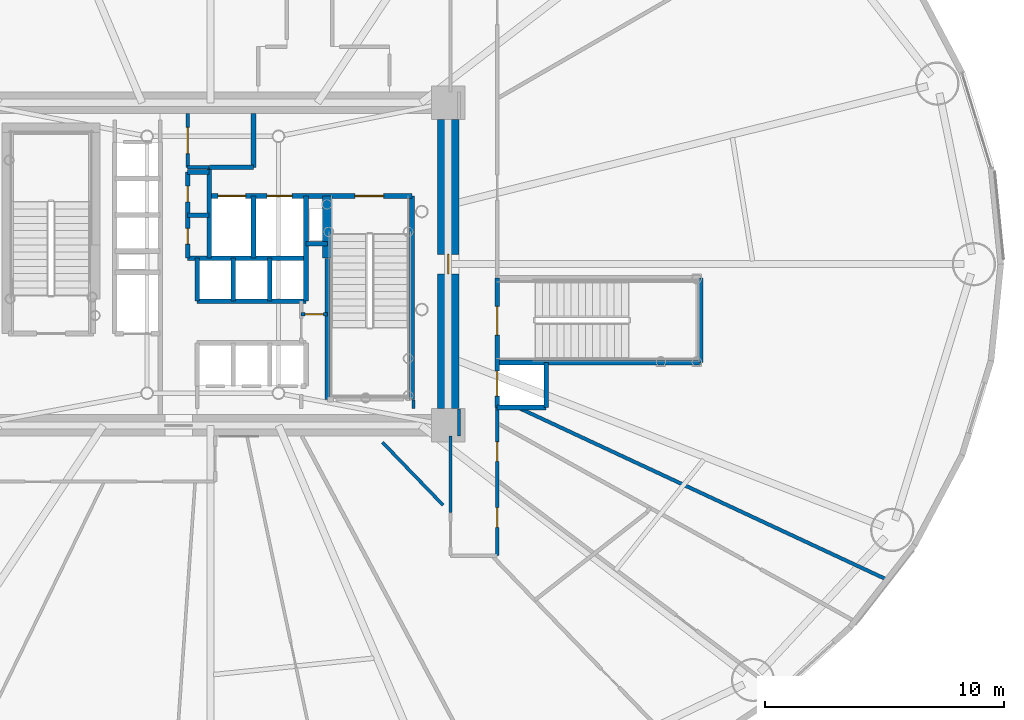
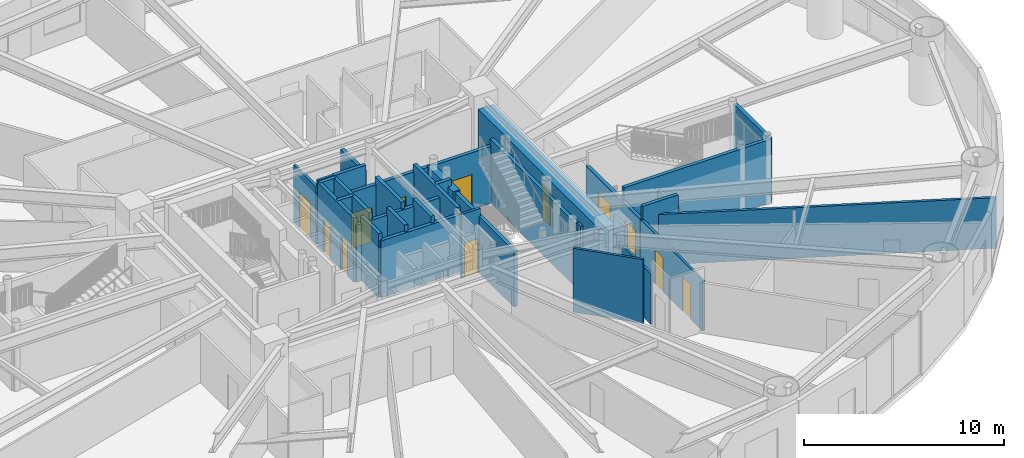
# One storey, part 15 of 27: 33 walls, 12 doors, 12 openings.
"""IFC4 building model written with IfcOpenShell, lengths in metres."""

from ifc_helpers import new_model, si_unit, direction, frame, frame_2d, origin, origin_2d, place, context, subcontext, project, spatial, rectangle, extrude, source, transform, mapped, material, layer, layer_set, type_object, element, fill, save


model = new_model("IFC4")

# Units and contexts
model_context = context("Model", 3, precision=1e-05, world=origin(), true_north=direction((0.0, 1.0)))
body_context = subcontext(model_context, "Body", "Model", "MODEL_VIEW")
ifc_project = project(units=[si_unit("LENGTHUNIT", "METRE"), si_unit("AREAUNIT", "SQUARE_METRE"), si_unit("VOLUMEUNIT", "CUBIC_METRE"), si_unit("PLANEANGLEUNIT", "RADIAN"), si_unit("MASSUNIT", "GRAM", prefix="KILO")], contexts=[model_context])

# Site, building, storey
site_placement = place(None, origin())
site = spatial("IfcSite", under=ifc_project, at=site_placement, CompositionType="ELEMENT")
building_placement = place(site_placement, origin())
building = spatial("IfcBuilding", under=site, at=building_placement, Name="Linh Dai School and Residence Tower", CompositionType="ELEMENT")
storey_placement = place(building_placement, frame((0.0, 0.0, 14.39990234375)))
storey = spatial("IfcBuildingStorey", under=building, at=storey_placement, Name="L03", CompositionType="ELEMENT", Elevation=14.39990234375)

# Wall, opening, door
ifc_material_1 = material(Name="Autoclaved Aerated Concrete Blockwork", Category="masonry")
ifc_layer_1 = layer(ifc_material_1, 0.135009765625)
ifc_layer_set_1 = layer_set([ifc_layer_1], Name="Autoclaved Aerated Concrete Blockwork")
wall_type_1 = type_object("IfcWallType", Name="IW-CORR-135-EI90", PredefinedType="PARTITIONING", material=ifc_layer_set_1)
wall_1_placement = place(storey_placement, frame((35.050048828125, 31.050048828125, 0.0), z_axis=(0.0, 0.0, 1.0), x_axis=(0.0, 1.0, 0.0)))
wall_1 = element("IfcWall", 1, at=wall_1_placement, inside=storey, type_object=wall_type_1, Name="L03 Interior Partition Wall 034", PredefinedType="PARTITIONING", context=body_context, shape_type="SweptSolid", body=[
    extrude(rectangle(XDim=2.25, YDim=0.135009765625, at=frame_2d((1.125, 0.0))), origin(), (0.0, 0.0, 1.0), 3.485107421875),
])
opening_1_placement = place(wall_1_placement, frame((0.574951171875, 0.0, 0.0)))
opening_1 = element("IfcOpeningElement", 2, at=opening_1_placement, cuts=wall_1, Name="Opening D07", PredefinedType="OPENING", context=body_context, shape_type="SweptSolid", body=[
    extrude(rectangle(XDim=1.10009765625, YDim=2.14990234375, at=origin_2d()), frame((0.550048828125, 0.07763671875, 1.074951171875), z_axis=(0.0, -1.0, 0.0), x_axis=(1.0, 0.0, 0.0)), (0.0, 0.0, 1.0), 0.155029296875),
])
ifc_material_2 = material(Name="Fire-Rated Louvred Steel Plant Door", Category="steel")
door_type_1 = type_object("IfcDoorType", Name="DR-PLT-1100x2150-FD60S", OperationType="NOTDEFINED", PredefinedType="DOOR", material=ifc_material_2)
shared_shape_1 = source(origin(), body_context, "Body", "SweptSolid", [
    extrude(rectangle(XDim=1.10009765625, YDim=2.14990234375, at=origin_2d()), frame((0.550048828125, 0.02490234375, 1.074951171875), z_axis=(0.0, -1.0, 0.0), x_axis=(1.0, 0.0, 0.0)), (0.0, 0.0, 1.0), 0.050048828125),
])
door_1_placement = place(opening_1_placement, origin())
door_1 = element("IfcDoor", 3, at=door_1_placement, inside=storey, type_object=door_type_1, Name="L03 North Telecom Switchroom Door", OperationType="SINGLE_SWING_RIGHT", OverallHeight=2.14990234375, OverallWidth=1.10009765625, PredefinedType="DOOR", context=body_context, shape_type="MappedRepresentation", body=[
    mapped(shared_shape_1, transform((0.0, 0.0, 0.0), x_axis=(1.0, 0.0, 0.0), y_axis=(0.0, 1.0, 0.0), z_axis=(0.0, 0.0, 1.0), scale=1.0)),
])
fill(opening_1, door_1)

# Wall
wall_2_placement = place(storey_placement, frame((35.050048828125, 31.050048828125, 0.0), z_axis=(0.0, 0.0, 1.0), x_axis=(1.0, 0.0, 0.0)))
element("IfcWall", 4, at=wall_2_placement, inside=storey, type_object=wall_type_1, Name="L03 Interior Partition Wall 035", PredefinedType="PARTITIONING", context=body_context, shape_type="SweptSolid", body=[
    extrude(rectangle(XDim=0.89990234375, YDim=0.135009765625, at=frame_2d((0.449951171875, 0.0))), origin(), (0.0, 0.0, 1.0), 3.900146484375),
])

# Wall, openings, doors
wall_3_placement = place(storey_placement, frame((48.0, 14.800048828125, 0.0), z_axis=(0.0, 0.0, 1.0), x_axis=(0.0, 1.0, 0.0)))
wall_3 = element("IfcWall", 5, at=wall_3_placement, inside=storey, type_object=wall_type_1, Name="L03 Interior Partition Wall 065", PredefinedType="PARTITIONING", context=body_context, shape_type="SweptSolid", body=[
    extrude(rectangle(XDim=6.199951171875, YDim=0.135009765625, at=frame_2d((3.10009765625, 0.0))), origin(), (0.0, 0.0, 1.0), 3.085205078125),
])
opening_2_placement = place(wall_3_placement, frame((1.188720703125, 0.0, 0.0)))
opening_2 = element("IfcOpeningElement", 6, at=opening_2_placement, cuts=wall_3, Name="Opening D06", PredefinedType="OPENING", context=body_context, shape_type="SweptSolid", body=[
    extrude(rectangle(XDim=0.820068359375, YDim=2.10009765625, at=origin_2d()), frame((0.41015625, 0.07763671875, 1.050048828125), z_axis=(0.0, -1.0, 0.0), x_axis=(1.0, 0.0, 0.0)), (0.0, 0.0, 1.0), 0.155029296875),
])
opening_3_placement = place(wall_3_placement, frame((3.94287109375, 0.0, 0.0)))
opening_3 = element("IfcOpeningElement", 7, at=opening_3_placement, cuts=wall_3, Name="Opening D06", PredefinedType="OPENING", context=body_context, shape_type="SweptSolid", body=[
    extrude(rectangle(XDim=0.820068359375, YDim=2.10009765625, at=origin_2d()), frame((0.41015625, 0.07763671875, 1.050048828125), z_axis=(0.0, -1.0, 0.0), x_axis=(1.0, 0.0, 0.0)), (0.0, 0.0, 1.0), 0.155029296875),
])
ifc_material_3 = material(Name="Moisture-Resistant Timber Bathroom Door", Category="wood")
door_type_2 = type_object("IfcDoorType", Name="DR-WET-820x2100", OperationType="NOTDEFINED", PredefinedType="DOOR", material=ifc_material_3)
shared_shape_2 = source(origin(), body_context, "Body", "SweptSolid", [
    extrude(rectangle(XDim=0.820068359375, YDim=2.10009765625, at=origin_2d()), frame((0.41015625, 0.02490234375, 1.050048828125), z_axis=(0.0, -1.0, 0.0), x_axis=(1.0, 0.0, 0.0)), (0.0, 0.0, 1.0), 0.050048828125),
])
door_2_placement = place(opening_2_placement, origin())
door_2 = element("IfcDoor", 8, at=door_2_placement, inside=storey, type_object=door_type_2, Name="L03 Student Boys WC Door", OperationType="SINGLE_SWING_RIGHT", OverallHeight=2.10009765625, OverallWidth=0.820068359375, PredefinedType="DOOR", context=body_context, shape_type="MappedRepresentation", body=[
    mapped(shared_shape_2, transform((0.0, 0.0, 0.0), x_axis=(1.0, 0.0, 0.0), y_axis=(0.0, 1.0, 0.0), z_axis=(0.0, 0.0, 1.0), scale=1.0)),
])
fill(opening_2, door_2)
door_3_placement = place(opening_3_placement, origin())
door_3 = element("IfcDoor", 9, at=door_3_placement, inside=storey, type_object=door_type_2, Name="L03 Student Girls WC Door", OperationType="SINGLE_SWING_RIGHT", OverallHeight=2.10009765625, OverallWidth=0.820068359375, PredefinedType="DOOR", context=body_context, shape_type="MappedRepresentation", body=[
    mapped(shared_shape_2, transform((0.0, 0.0, 0.0), x_axis=(1.0, 0.0, 0.0), y_axis=(0.0, 1.0, 0.0), z_axis=(0.0, 0.0, 1.0), scale=1.0)),
])
fill(opening_3, door_3)

# Walls
wall_4_placement = place(storey_placement, frame((44.5, 20.9599609375, 0.0), z_axis=(0.0, 0.0, 1.0), x_axis=(0.0, 1.0, 0.0)))
element("IfcWall", 10, at=wall_4_placement, inside=storey, type_object=wall_type_1, Name="L03 Interior Partition Wall 086", PredefinedType="PARTITIONING", context=body_context, shape_type="SweptSolid", body=[
    extrude(rectangle(XDim=0.360107421875, YDim=0.135009765625, at=frame_2d((0.18017578125, 0.0))), origin(), (0.0, 0.0, 1.0), 3.900146484375),
])
wall_5_placement = place(storey_placement, frame((46.050048828125, 16.60302734375, 0.0), z_axis=(0.0, 0.0, 1.0), x_axis=(0.0, 1.0, 0.0)))
element("IfcWall", 11, at=wall_5_placement, inside=storey, type_object=wall_type_1, Name="L03 Interior Partition Wall 089", PredefinedType="PARTITIONING", context=body_context, shape_type="SweptSolid", body=[
    extrude(rectangle(XDim=3.197021484375, YDim=0.135009765625, at=frame_2d((1.5986328125, 0.0))), origin(), (0.0, 0.0, 1.0), 3.085205078125),
])
wall_6_placement = place(storey_placement, frame((46.39990234375, 19.800048828125, 0.0), z_axis=(0.0, 0.0, 1.0), x_axis=(0.0, 1.0, 0.0)))
element("IfcWall", 12, at=wall_6_placement, inside=storey, type_object=wall_type_1, Name="L03 Interior Partition Wall 090", PredefinedType="PARTITIONING", context=body_context, shape_type="SweptSolid", body=[
    extrude(rectangle(XDim=1.139892578125, YDim=0.135009765625, at=frame_2d((0.56982421875, 0.0))), origin(), (0.0, 0.0, 1.0), 3.900146484375),
])
wall_7_placement = place(storey_placement, frame((43.2041015625, 19.5400390625, 0.0), z_axis=(0.0, 0.0, 1.0), x_axis=(0.694638628507, -0.719358864397, 0.0)))
element("IfcWall", 13, at=wall_7_placement, inside=storey, type_object=wall_type_1, Name="L03 Interior Partition Wall 105", PredefinedType="PARTITIONING", context=body_context, shape_type="SweptSolid", body=[
    extrude(rectangle(XDim=3.654052734375, YDim=0.135009765625, at=frame_2d((1.8271484375, 0.0))), origin(), (0.0, 0.0, 1.0), 3.900146484375),
])

# Wall, opening, door
ifc_layer_2 = layer(ifc_material_1, 0.14990234375)
ifc_layer_set_2 = layer_set([ifc_layer_2], Name="Autoclaved Aerated Concrete Blockwork")
wall_type_2 = type_object("IfcWallType", Name="IW-SCH-150-EI60", PredefinedType="PARTITIONING", material=ifc_layer_set_2)
wall_8_placement = place(storey_placement, frame((39.800048828125, 24.89990234375, 0.0), z_axis=(0.0, 0.0, 1.0), x_axis=(1.0, 0.0, 0.0)))
wall_8 = element("IfcWall", 14, at=wall_8_placement, inside=storey, type_object=wall_type_2, Name="L03 Interior Partition Wall 053", PredefinedType="PARTITIONING", context=body_context, shape_type="SweptSolid", body=[
    extrude(rectangle(XDim=1.099853515625, YDim=0.14990234375, at=frame_2d((0.5498046875, 0.0))), origin(), (0.0, 0.0, 1.0), 3.900146484375),
])
opening_4_placement = place(wall_8_placement, frame((0.169921875, 0.0, 0.0)))
opening_4 = element("IfcOpeningElement", 15, at=opening_4_placement, cuts=wall_8, Name="Opening D08", PredefinedType="OPENING", context=body_context, shape_type="SweptSolid", body=[
    extrude(rectangle(XDim=0.760009765625, YDim=2.10009765625, at=origin_2d()), frame((0.3798828125, 0.0849609375, 1.050048828125), z_axis=(0.0, -1.0, 0.0), x_axis=(1.0, 0.0, 0.0)), (0.0, 0.0, 1.0), 0.169921875),
])
ifc_material_4 = material(Name="Engineered Timber Closet and Study Door", Category="wood")
door_type_3 = type_object("IfcDoorType", Name="DR-CMP-760x2100", OperationType="NOTDEFINED", PredefinedType="DOOR", material=ifc_material_4)
shared_shape_3 = source(origin(), body_context, "Body", "SweptSolid", [
    extrude(rectangle(XDim=0.760009765625, YDim=2.10009765625, at=origin_2d()), frame((0.3798828125, 0.02490234375, 1.050048828125), z_axis=(0.0, -1.0, 0.0), x_axis=(1.0, 0.0, 0.0)), (0.0, 0.0, 1.0), 0.050048828125),
])
door_4_placement = place(opening_4_placement, origin())
door_4 = element("IfcDoor", 16, at=door_4_placement, inside=storey, type_object=door_type_3, Name="L03 NE Equipment Store Door", OperationType="SINGLE_SWING_RIGHT", OverallHeight=2.10009765625, OverallWidth=0.760009765625, PredefinedType="DOOR", context=body_context, shape_type="MappedRepresentation", body=[
    mapped(shared_shape_3, transform((0.0, 0.0, 0.0), x_axis=(1.0, 0.0, 0.0), y_axis=(0.0, 1.0, 0.0), z_axis=(0.0, 0.0, 1.0), scale=1.0)),
])
fill(opening_4, door_4)

# Wall
wall_9_placement = place(storey_placement, frame((48.866943359375, 21.0, 0.0), z_axis=(0.0, 0.0, 1.0), x_axis=(0.906305939421, -0.422622223942, 0.0)))
element("IfcWall", 17, at=wall_9_placement, inside=storey, type_object=wall_type_2, Name="L03 Interior Partition Wall 074", PredefinedType="PARTITIONING", context=body_context, shape_type="SweptSolid", body=[
    extrude(rectangle(XDim=17.060546875, YDim=0.14990234375, at=frame_2d((8.5302734375, 0.0))), origin(), (0.0, 0.0, 1.0), 3.085205078125),
])

# Wall, openings, doors
ifc_material_5 = material(Name="Concrete B45 (C35/45)", Category="concrete")
ifc_layer_3 = layer(ifc_material_5, 0.199951171875)
ifc_layer_set_3 = layer_set([ifc_layer_3], Name="Concrete B45 (C35/45)")
wall_type_3 = type_object("IfcWallType", Name="IW-SHAFT-200-EI120", PredefinedType="PARTITIONING", material=ifc_layer_set_3)
wall_10_placement = place(storey_placement, frame((35.050048828125, 27.25, 0.0), z_axis=(0.0, 0.0, 1.0), x_axis=(0.0, 1.0, 0.0)))
wall_10 = element("IfcWall", 18, at=wall_10_placement, inside=storey, type_object=wall_type_3, Name="L03 Interior Partition Wall 030", PredefinedType="PARTITIONING", context=body_context, shape_type="SweptSolid", body=[
    extrude(rectangle(XDim=3.60009765625, YDim=0.199951171875, at=frame_2d((1.800048828125, 0.0))), origin(), (0.0, 0.0, 1.0), 3.900146484375),
])
opening_5_placement = place(wall_10_placement, frame((0.590087890625, 0.0, 0.0)))
opening_5 = element("IfcOpeningElement", 19, at=opening_5_placement, cuts=wall_10, Name="Opening AD1", PredefinedType="OPENING", context=body_context, shape_type="SweptSolid", body=[
    extrude(rectangle(XDim=0.659912109375, YDim=2.050048828125, at=origin_2d()), frame((0.330078125, 0.10986328125, 1.02490234375), z_axis=(0.0, -1.0, 0.0), x_axis=(1.0, 0.0, 0.0)), (0.0, 0.0, 1.0), 0.219970703125),
])
opening_6_placement = place(wall_10_placement, frame((2.35009765625, 0.0, 0.0)))
opening_6 = element("IfcOpeningElement", 20, at=opening_6_placement, cuts=wall_10, Name="Opening AD1", PredefinedType="OPENING", context=body_context, shape_type="SweptSolid", body=[
    extrude(rectangle(XDim=0.659912109375, YDim=2.050048828125, at=origin_2d()), frame((0.330078125, 0.10986328125, 1.02490234375), z_axis=(0.0, -1.0, 0.0), x_axis=(1.0, 0.0, 0.0)), (0.0, 0.0, 1.0), 0.219970703125),
])
ifc_material_6 = material(Name="Fire-Rated Steel Riser Access Door", Category="steel")
door_type_4 = type_object("IfcDoorType", Name="DR-ACC-660x2050-FD90S", OperationType="NOTDEFINED", PredefinedType="USERDEFINED", material=ifc_material_6)
shared_shape_4 = source(origin(), body_context, "Body", "SweptSolid", [
    extrude(rectangle(XDim=0.659912109375, YDim=2.050048828125, at=origin_2d()), frame((0.330078125, 0.02490234375, 1.02490234375), z_axis=(0.0, -1.0, 0.0), x_axis=(1.0, 0.0, 0.0)), (0.0, 0.0, 1.0), 0.050048828125),
])
door_5_placement = place(opening_5_placement, origin())
door_5 = element("IfcDoor", 21, at=door_5_placement, inside=storey, type_object=door_type_4, Name="L03 Telecom and Data Riser Access Door", ObjectType="ACCESS DOOR", OperationType="SINGLE_SWING_RIGHT", OverallHeight=2.050048828125, OverallWidth=0.659912109375, PredefinedType="USERDEFINED", context=body_context, shape_type="MappedRepresentation", body=[
    mapped(shared_shape_4, transform((0.0, 0.0, 0.0), x_axis=(1.0, 0.0, 0.0), y_axis=(0.0, 1.0, 0.0), z_axis=(0.0, 0.0, 1.0), scale=1.0)),
])
fill(opening_5, door_5)
door_6_placement = place(opening_6_placement, origin())
door_6 = element("IfcDoor", 22, at=door_6_placement, inside=storey, type_object=door_type_4, Name="L03 Mechanical and Plumbing Riser Access Door", ObjectType="ACCESS DOOR", OperationType="SINGLE_SWING_LEFT", OverallHeight=2.050048828125, OverallWidth=0.659912109375, PredefinedType="USERDEFINED", context=body_context, shape_type="MappedRepresentation", body=[
    mapped(shared_shape_4, transform((0.0, 0.0, 0.0), x_axis=(1.0, 0.0, 0.0), y_axis=(0.0, 1.0, 0.0), z_axis=(0.0, 0.0, 1.0), scale=1.0)),
])
fill(opening_6, door_6)

# Walls
wall_11_placement = place(storey_placement, frame((35.050048828125, 27.25, 0.0), z_axis=(0.0, 0.0, 1.0), x_axis=(1.0, 0.0, 0.0)))
element("IfcWall", 23, at=wall_11_placement, inside=storey, type_object=wall_type_3, Name="L03 Interior Partition Wall 031", PredefinedType="PARTITIONING", context=body_context, shape_type="SweptSolid", body=[
    extrude(rectangle(XDim=4.949951171875, YDim=0.199951171875, at=frame_2d((2.47509765625, 0.0))), origin(), (0.0, 0.0, 1.0), 3.485107421875),
])
for number, where, z_axis, x_axis, name in (
    (24, (35.050048828125, 29.050048828125, 0.0), (0.0, 0.0, 1.0), (1.0, 0.0, 0.0), "L03 Interior Partition Wall 032"),
    (25, (35.050048828125, 30.85009765625, 0.0), (0.0, 0.0, 1.0), (1.0, 0.0, 0.0), "L03 Interior Partition Wall 033"),
):
    element("IfcWall", number, at=place(storey_placement, frame(where, z_axis=z_axis, x_axis=x_axis)), inside=storey, type_object=wall_type_3, Name=name, PredefinedType="PARTITIONING", context=body_context, shape_type="SweptSolid", body=[
        extrude(rectangle(XDim=0.89990234375, YDim=0.199951171875, at=frame_2d((0.449951171875, 0.0))), origin(), (0.0, 0.0, 1.0), 3.900146484375),
    ])
wall_12_placement = place(storey_placement, frame((35.449951171875, 25.449951171875, 0.0), z_axis=(0.0, 0.0, 1.0), x_axis=(0.0, 1.0, 0.0)))
element("IfcWall", 26, at=wall_12_placement, inside=storey, type_object=wall_type_3, Name="L03 Interior Partition Wall 038", PredefinedType="PARTITIONING", context=body_context, shape_type="SweptSolid", body=[
    extrude(rectangle(XDim=1.800048828125, YDim=0.199951171875, at=frame_2d((0.89990234375, 0.0))), origin(), (0.0, 0.0, 1.0), 3.900146484375),
])
wall_13_placement = place(storey_placement, frame((35.449951171875, 25.449951171875, 0.0), z_axis=(0.0, 0.0, 1.0), x_axis=(1.0, 0.0, 0.0)))
element("IfcWall", 27, at=wall_13_placement, inside=storey, type_object=wall_type_3, Name="L03 Interior Partition Wall 039", PredefinedType="PARTITIONING", context=body_context, shape_type="SweptSolid", body=[
    extrude(rectangle(XDim=4.550048828125, YDim=0.199951171875, at=frame_2d((2.27490234375, 0.0))), origin(), (0.0, 0.0, 1.0), 3.485107421875),
])
wall_14_placement = place(storey_placement, frame((35.949951171875, 27.25, 0.0), z_axis=(0.0, 0.0, 1.0), x_axis=(0.0, 1.0, 0.0)))
element("IfcWall", 28, at=wall_14_placement, inside=storey, type_object=wall_type_3, Name="L03 Interior Partition Wall 040", PredefinedType="PARTITIONING", context=body_context, shape_type="SweptSolid", body=[
    extrude(rectangle(XDim=3.800048828125, YDim=0.199951171875, at=frame_2d((1.89990234375, 0.0))), origin(), (0.0, 0.0, 1.0), 3.900146484375),
])

# Wall, openings, doors
wall_15_placement = place(storey_placement, frame((35.949951171875, 29.85009765625, 0.0), z_axis=(0.0, 0.0, 1.0), x_axis=(1.0, 0.0, 0.0)))
wall_15 = element("IfcWall", 29, at=wall_15_placement, inside=storey, type_object=wall_type_3, Name="L03 Interior Partition Wall 041", PredefinedType="PARTITIONING", context=body_context, shape_type="SweptSolid", body=[
    extrude(rectangle(XDim=8.489990234375, YDim=0.199951171875, at=frame_2d((4.2451171875, 0.0))), origin(), (0.0, 0.0, 1.0), 3.485107421875),
])
opening_7_placement = place(wall_15_placement, frame((6.10009765625, 0.0, 0.0)))
opening_7 = element("IfcOpeningElement", 30, at=opening_7_placement, cuts=wall_15, Name="Opening D01", PredefinedType="OPENING", context=body_context, shape_type="SweptSolid", body=[
    extrude(rectangle(XDim=1.199951171875, YDim=2.14990234375, at=origin_2d()), frame((0.60009765625, 0.10986328125, 1.074951171875), z_axis=(0.0, -1.0, 0.0), x_axis=(1.0, 0.0, 0.0)), (0.0, 0.0, 1.0), 0.219970703125),
])
opening_8_placement = place(wall_15_placement, frame((0.3701171875, 0.0, 0.0)))
opening_8 = element("IfcOpeningElement", 31, at=opening_8_placement, cuts=wall_15, Name="Opening LD-FF1", PredefinedType="OPENING", context=body_context, shape_type="SweptSolid", body=[
    extrude(rectangle(XDim=1.14990234375, YDim=2.14990234375, at=origin_2d()), frame((0.574951171875, 0.10986328125, 1.074951171875), z_axis=(0.0, -1.0, 0.0), x_axis=(1.0, 0.0, 0.0)), (0.0, 0.0, 1.0), 0.219970703125),
])
opening_9_placement = place(wall_15_placement, frame((2.425048828125, 0.0, 0.0)))
opening_9 = element("IfcOpeningElement", 32, at=opening_9_placement, cuts=wall_15, Name="Opening LD-SV1", PredefinedType="OPENING", context=body_context, shape_type="SweptSolid", body=[
    extrude(rectangle(XDim=1.050048828125, YDim=2.14990234375, at=origin_2d()), frame((0.52490234375, 0.10986328125, 1.074951171875), z_axis=(0.0, -1.0, 0.0), x_axis=(1.0, 0.0, 0.0)), (0.0, 0.0, 1.0), 0.219970703125),
])
ifc_material_7 = material(Name="Fire-Rated Steel Door Leaf", Category="steel")
door_type_5 = type_object("IfcDoorType", Name="DR-STAIR-1200x2150-FD90S", OperationType="NOTDEFINED", PredefinedType="DOOR", material=ifc_material_7)
shared_shape_5 = source(origin(), body_context, "Body", "SweptSolid", [
    extrude(rectangle(XDim=1.199951171875, YDim=2.14990234375, at=origin_2d()), frame((0.60009765625, 0.02490234375, 1.074951171875), z_axis=(0.0, -1.0, 0.0), x_axis=(1.0, 0.0, 0.0)), (0.0, 0.0, 1.0), 0.050048828125),
])
door_7_placement = place(opening_7_placement, origin())
door_7 = element("IfcDoor", 33, at=door_7_placement, inside=storey, type_object=door_type_5, Name="L03 Core Smokeproof Exit Stair ST2 Door", OperationType="SINGLE_SWING_LEFT", OverallHeight=2.14990234375, OverallWidth=1.199951171875, PredefinedType="DOOR", context=body_context, shape_type="MappedRepresentation", body=[
    mapped(shared_shape_5, transform((0.0, 0.0, 0.0), x_axis=(1.0, 0.0, 0.0), y_axis=(0.0, 1.0, 0.0), z_axis=(0.0, 0.0, 1.0), scale=1.0)),
])
fill(opening_7, door_7)
ifc_material_8 = material(Name="Fire-Rated Stainless Steel Firefighting Lift Door", Category="steel")
door_type_6 = type_object("IfcDoorType", Name="DR-LD-FF-1150x2150-FD120", OperationType="DOUBLE_DOOR_SLIDING", PredefinedType="USERDEFINED", material=ifc_material_8)
shared_shape_6 = source(origin(), body_context, "Body", "SweptSolid", [
    extrude(rectangle(XDim=1.14990234375, YDim=2.14990234375, at=origin_2d()), frame((0.574951171875, 0.02490234375, 1.074951171875), z_axis=(0.0, -1.0, 0.0), x_axis=(1.0, 0.0, 0.0)), (0.0, 0.0, 1.0), 0.050048828125),
])
door_8_placement = place(opening_8_placement, origin())
door_8 = element("IfcDoor", 34, at=door_8_placement, inside=storey, type_object=door_type_6, Name="L03 Lift FF1 Sliding Landing Door", ObjectType="LANDING DOOR", OperationType="DOUBLE_DOOR_SLIDING", OverallHeight=2.14990234375, OverallWidth=1.14990234375, PredefinedType="USERDEFINED", context=body_context, shape_type="MappedRepresentation", body=[
    mapped(shared_shape_6, transform((0.0, 0.0, 0.0), x_axis=(1.0, 0.0, 0.0), y_axis=(0.0, 1.0, 0.0), z_axis=(0.0, 0.0, 1.0), scale=1.0)),
])
fill(opening_8, door_8)
ifc_material_9 = material(Name="Brushed Stainless Steel Lift Landing Door", Category="steel")
door_type_7 = type_object("IfcDoorType", Name="DR-LD-PASS-1050x2150", OperationType="DOUBLE_DOOR_SLIDING", PredefinedType="USERDEFINED", material=ifc_material_9)
shared_shape_7 = source(origin(), body_context, "Body", "SweptSolid", [
    extrude(rectangle(XDim=1.050048828125, YDim=2.14990234375, at=origin_2d()), frame((0.52490234375, 0.02490234375, 1.074951171875), z_axis=(0.0, -1.0, 0.0), x_axis=(1.0, 0.0, 0.0)), (0.0, 0.0, 1.0), 0.050048828125),
])
door_9_placement = place(opening_9_placement, origin())
door_9 = element("IfcDoor", 35, at=door_9_placement, inside=storey, type_object=door_type_7, Name="L03 Lift SV1 Sliding Landing Door", ObjectType="LANDING DOOR", OperationType="DOUBLE_DOOR_SLIDING", OverallHeight=2.14990234375, OverallWidth=1.050048828125, PredefinedType="USERDEFINED", context=body_context, shape_type="MappedRepresentation", body=[
    mapped(shared_shape_7, transform((0.0, 0.0, 0.0), x_axis=(1.0, 0.0, 0.0), y_axis=(0.0, 1.0, 0.0), z_axis=(0.0, 0.0, 1.0), scale=1.0)),
])
fill(opening_9, door_9)

# Walls
wall_16_placement = place(storey_placement, frame((35.9599609375, 31.050048828125, 0.0), z_axis=(0.0, 0.0, 1.0), x_axis=(1.0, 0.0, 0.0)))
element("IfcWall", 36, at=wall_16_placement, inside=storey, type_object=wall_type_3, Name="L03 Interior Partition Wall 042", PredefinedType="PARTITIONING", context=body_context, shape_type="SweptSolid", body=[
    extrude(rectangle(XDim=1.840087890625, YDim=0.199951171875, at=frame_2d((0.919921875, 0.0))), origin(), (0.0, 0.0, 1.0), 3.900146484375),
])
wall_17_placement = place(storey_placement, frame((36.9599609375, 25.449951171875, 0.0), z_axis=(0.0, 0.0, 1.0), x_axis=(0.0, 1.0, 0.0)))
element("IfcWall", 37, at=wall_17_placement, inside=storey, type_object=wall_type_3, Name="L03 Interior Partition Wall 045", PredefinedType="PARTITIONING", context=body_context, shape_type="SweptSolid", body=[
    extrude(rectangle(XDim=1.800048828125, YDim=0.199951171875, at=frame_2d((0.89990234375, 0.0))), origin(), (0.0, 0.0, 1.0), 3.900146484375),
])
wall_18_placement = place(storey_placement, frame((37.800048828125, 27.25, 0.0), z_axis=(0.0, 0.0, 1.0), x_axis=(0.0, 1.0, 0.0)))
element("IfcWall", 38, at=wall_18_placement, inside=storey, type_object=wall_type_3, Name="L03 Interior Partition Wall 047", PredefinedType="PARTITIONING", context=body_context, shape_type="SweptSolid", body=[
    extrude(rectangle(XDim=2.60009765625, YDim=0.199951171875, at=frame_2d((1.300048828125, 0.0))), origin(), (0.0, 0.0, 1.0), 3.900146484375),
])
wall_19_placement = place(storey_placement, frame((37.800048828125, 31.050048828125, 0.0), z_axis=(0.0, 0.0, 1.0), x_axis=(0.0, 1.0, 0.0)))
element("IfcWall", 39, at=wall_19_placement, inside=storey, type_object=wall_type_3, Name="L03 Interior Partition Wall 048", PredefinedType="PARTITIONING", context=body_context, shape_type="SweptSolid", body=[
    extrude(rectangle(XDim=2.25, YDim=0.199951171875, at=frame_2d((1.125, 0.0))), origin(), (0.0, 0.0, 1.0), 3.485107421875),
])
wall_20_placement = place(storey_placement, frame((38.47998046875, 25.449951171875, 0.0), z_axis=(0.0, 0.0, 1.0), x_axis=(0.0, 1.0, 0.0)))
element("IfcWall", 40, at=wall_20_placement, inside=storey, type_object=wall_type_3, Name="L03 Interior Partition Wall 050", PredefinedType="PARTITIONING", context=body_context, shape_type="SweptSolid", body=[
    extrude(rectangle(XDim=1.800048828125, YDim=0.199951171875, at=frame_2d((0.89990234375, 0.0))), origin(), (0.0, 0.0, 1.0), 3.900146484375),
])
wall_21_placement = place(storey_placement, frame((40.0, 25.449951171875, 0.0), z_axis=(0.0, 0.0, 1.0), x_axis=(0.0, 1.0, 0.0)))
element("IfcWall", 41, at=wall_21_placement, inside=storey, type_object=wall_type_3, Name="L03 Interior Partition Wall 056", PredefinedType="PARTITIONING", context=body_context, shape_type="SweptSolid", body=[
    extrude(rectangle(XDim=4.400146484375, YDim=0.199951171875, at=frame_2d((2.2001953125, 0.0))), origin(), (0.0, 0.0, 1.0), 3.900146484375),
])
wall_22_placement = place(storey_placement, frame((40.0, 27.85009765625, 0.0), z_axis=(0.0, 0.0, 1.0), x_axis=(1.0, 0.0, 0.0)))
element("IfcWall", 42, at=wall_22_placement, inside=storey, type_object=wall_type_3, Name="L03 Interior Partition Wall 057", PredefinedType="PARTITIONING", context=body_context, shape_type="SweptSolid", body=[
    extrude(rectangle(XDim=0.89990234375, YDim=0.199951171875, at=frame_2d((0.449951171875, 0.0))), origin(), (0.0, 0.0, 1.0), 3.900146484375),
])
wall_23_placement = place(storey_placement, frame((40.89990234375, 21.330078125, 0.0), z_axis=(0.0, 0.0, 1.0), x_axis=(0.0, 1.0, 0.0)))
element("IfcWall", 43, at=wall_23_placement, inside=storey, type_object=wall_type_3, Name="L03 Interior Partition Wall 058", PredefinedType="PARTITIONING", context=body_context, shape_type="SweptSolid", body=[
    extrude(rectangle(XDim=5.909912109375, YDim=0.199951171875, at=frame_2d((2.955078125, 0.0))), origin(), (0.0, 0.0, 1.0), 3.43505859375),
])
wall_24_placement = place(storey_placement, frame((44.43994140625, 21.330078125, 0.0), z_axis=(0.0, 0.0, 1.0), x_axis=(0.0, 1.0, 0.0)))
element("IfcWall", 44, at=wall_24_placement, inside=storey, type_object=wall_type_3, Name="L03 Interior Partition Wall 061", PredefinedType="PARTITIONING", context=body_context, shape_type="SweptSolid", body=[
    extrude(rectangle(XDim=8.52001953125, YDim=0.199951171875, at=frame_2d((4.260009765625, 0.0))), origin(), (0.0, 0.0, 1.0), 3.900146484375),
])

# Wall, openings, doors
wall_25_placement = place(storey_placement, frame((48.0, 21.010009765625, 0.0), z_axis=(0.0, 0.0, 1.0), x_axis=(0.0, 1.0, 0.0)))
wall_25 = element("IfcWall", 45, at=wall_25_placement, inside=storey, type_object=wall_type_3, Name="L03 Interior Partition Wall 068", PredefinedType="PARTITIONING", context=body_context, shape_type="SweptSolid", body=[
    extrude(rectangle(XDim=5.409912109375, YDim=0.199951171875, at=frame_2d((2.705078125, 0.0))), origin(), (0.0, 0.0, 1.0), 3.085205078125),
])
opening_10_placement = place(wall_25_placement, frame((3.02001953125, 0.0, 0.0)))
opening_10 = element("IfcOpeningElement", 46, at=opening_10_placement, cuts=wall_25, Name="Opening D01", PredefinedType="OPENING", context=body_context, shape_type="SweptSolid", body=[
    extrude(rectangle(XDim=1.199951171875, YDim=2.14990234375, at=origin_2d()), frame((0.60009765625, 0.10986328125, 1.074951171875), z_axis=(0.0, -1.0, 0.0), x_axis=(1.0, 0.0, 0.0)), (0.0, 0.0, 1.0), 0.219970703125),
])
opening_11_placement = place(wall_25_placement, frame((0.465087890625, 0.0, 0.0)))
opening_11 = element("IfcOpeningElement", 47, at=opening_11_placement, cuts=wall_25, Name="Opening LD-SL2", PredefinedType="OPENING", context=body_context, shape_type="SweptSolid", body=[
    extrude(rectangle(XDim=1.050048828125, YDim=2.14990234375, at=origin_2d()), frame((0.52490234375, 0.10986328125, 1.074951171875), z_axis=(0.0, -1.0, 0.0), x_axis=(1.0, 0.0, 0.0)), (0.0, 0.0, 1.0), 0.219970703125),
])
door_10_placement = place(opening_10_placement, origin())
door_10 = element("IfcDoor", 48, at=door_10_placement, inside=storey, type_object=door_type_5, Name="L03 Exit Stair STS2 Door", OperationType="SINGLE_SWING_LEFT", OverallHeight=2.14990234375, OverallWidth=1.199951171875, PredefinedType="DOOR", context=body_context, shape_type="MappedRepresentation", body=[
    mapped(shared_shape_5, transform((0.0, 0.0, 0.0), x_axis=(1.0, 0.0, 0.0), y_axis=(0.0, 1.0, 0.0), z_axis=(0.0, 0.0, 1.0), scale=1.0)),
])
fill(opening_10, door_10)
door_11_placement = place(opening_11_placement, origin())
door_11 = element("IfcDoor", 49, at=door_11_placement, inside=storey, type_object=door_type_7, Name="L03 Lift SL2 Sliding Landing Door", ObjectType="LANDING DOOR", OperationType="DOUBLE_DOOR_SLIDING", OverallHeight=2.14990234375, OverallWidth=1.050048828125, PredefinedType="USERDEFINED", context=body_context, shape_type="MappedRepresentation", body=[
    mapped(shared_shape_7, transform((0.0, 0.0, 0.0), x_axis=(1.0, 0.0, 0.0), y_axis=(0.0, 1.0, 0.0), z_axis=(0.0, 0.0, 1.0), scale=1.0)),
])
fill(opening_11, door_11)

# Walls
wall_26_placement = place(storey_placement, frame((48.0, 21.0, 0.0), z_axis=(0.0, 0.0, 1.0), x_axis=(1.0, 0.0, 0.0)))
element("IfcWall", 50, at=wall_26_placement, inside=storey, type_object=wall_type_3, Name="L03 Interior Partition Wall 069", PredefinedType="PARTITIONING", context=body_context, shape_type="SweptSolid", body=[
    extrude(rectangle(XDim=2.050048828125, YDim=0.199951171875, at=frame_2d((1.02490234375, 0.0))), origin(), (0.0, 0.0, 1.0), 3.900146484375),
])
wall_27_placement = place(storey_placement, frame((48.0, 22.8798828125, 0.0), z_axis=(0.0, 0.0, 1.0), x_axis=(1.0, 0.0, 0.0)))
element("IfcWall", 51, at=wall_27_placement, inside=storey, type_object=wall_type_3, Name="L03 Interior Partition Wall 070", PredefinedType="PARTITIONING", context=body_context, shape_type="SweptSolid", body=[
    extrude(rectangle(XDim=8.52001953125, YDim=0.199951171875, at=frame_2d((4.260009765625, 0.0))), origin(), (0.0, 0.0, 1.0), 3.900146484375),
])
wall_28_placement = place(storey_placement, frame((50.050048828125, 21.0, 0.0), z_axis=(0.0, 0.0, 1.0), x_axis=(0.0, 1.0, 0.0)))
element("IfcWall", 52, at=wall_28_placement, inside=storey, type_object=wall_type_3, Name="L03 Interior Partition Wall 076", PredefinedType="PARTITIONING", context=body_context, shape_type="SweptSolid", body=[
    extrude(rectangle(XDim=1.8798828125, YDim=0.199951171875, at=frame_2d((0.93994140625, 0.0))), origin(), (0.0, 0.0, 1.0), 3.085205078125),
])
wall_29_placement = place(storey_placement, frame((56.52001953125, 22.8798828125, 0.0), z_axis=(0.0, 0.0, 1.0), x_axis=(0.0, 1.0, 0.0)))
element("IfcWall", 53, at=wall_29_placement, inside=storey, type_object=wall_type_3, Name="L03 Interior Partition Wall 078", PredefinedType="PARTITIONING", context=body_context, shape_type="SweptSolid", body=[
    extrude(rectangle(XDim=3.5400390625, YDim=0.199951171875, at=frame_2d((1.77001953125, 0.0))), origin(), (0.0, 0.0, 1.0), 3.900146484375),
])
ifc_layer_4 = layer(ifc_material_5, 0.39990234375)
ifc_layer_set_4 = layer_set([ifc_layer_4], Name="Concrete B45 (C35/45)")
wall_type_4 = type_object("IfcWallType", Name="WL-CORE400", PredefinedType="SHEAR", material=ifc_layer_set_4)
wall_30_placement = place(storey_placement, frame((40.89990234375, 27.25, 0.0), z_axis=(0.0, 0.0, 1.0), x_axis=(0.0, 1.0, 0.0)))
element("IfcWall", 54, at=wall_30_placement, inside=storey, type_object=wall_type_4, Name="L03 Internal Core Shear Wall IE", PredefinedType="SHEAR", context=body_context, shape_type="SweptSolid", body=[
    extrude(rectangle(XDim=2.60009765625, YDim=0.39990234375, at=frame_2d((1.300048828125, 0.0))), origin(), (0.0, 0.0, 1.0), 3.5),
])

# Wall, opening, door
ifc_material_10 = material(Name="Concrete B60 (C50/60)", Category="concrete")
ifc_layer_5 = layer(ifc_material_10, 0.89990234375)
ifc_layer_set_5 = layer_set([ifc_layer_5], Name="Concrete B60 (C50/60)")
wall_type_5 = type_object("IfcWallType", Name="WL-CORE900", PredefinedType="SHEAR", material=ifc_layer_set_5)
wall_31_placement = place(storey_placement, frame((45.949951171875, 33.050048828125, 0.0), z_axis=(0.0, 0.0, 1.0), x_axis=(0.0, -1.0, 0.0)))
wall_31 = element("IfcWall", 55, at=wall_31_placement, inside=storey, type_object=wall_type_5, Name="L03 Central Core Shear Wall E", PredefinedType="SHEAR", context=body_context, shape_type="SweptSolid", body=[
    extrude(rectangle(XDim=12.10009765625, YDim=0.89990234375, at=frame_2d((6.050048828125, 0.0))), origin(), (0.0, 0.0, 1.0), 3.35009765625),
])
opening_12_placement = place(wall_31_placement, frame((5.639892578125, 0.0, 0.0)))
opening_12 = element("IfcOpeningElement", 56, at=opening_12_placement, cuts=wall_31, Name="Opening D06", PredefinedType="OPENING", context=body_context, shape_type="SweptSolid", body=[
    extrude(rectangle(XDim=0.820068359375, YDim=2.10009765625, at=origin_2d()), frame((0.41015625, 0.4599609375, 1.050048828125), z_axis=(0.0, -1.0, 0.0), x_axis=(1.0, 0.0, 0.0)), (0.0, 0.0, 1.0), 0.919921875),
])
door_12_placement = place(opening_12_placement, origin())
door_12 = element("IfcDoor", 57, at=door_12_placement, inside=storey, type_object=door_type_2, Name="L03 Firefighting Lobby Door", OperationType="SINGLE_SWING_RIGHT", OverallHeight=2.10009765625, OverallWidth=0.820068359375, PredefinedType="DOOR", context=body_context, shape_type="MappedRepresentation", body=[
    mapped(shared_shape_2, transform((0.0, 0.0, 0.0), x_axis=(1.0, 0.0, 0.0), y_axis=(0.0, 1.0, 0.0), z_axis=(0.0, 0.0, 1.0), scale=1.0)),
])
fill(opening_12, door_12)

save(model, "model.ifc")
